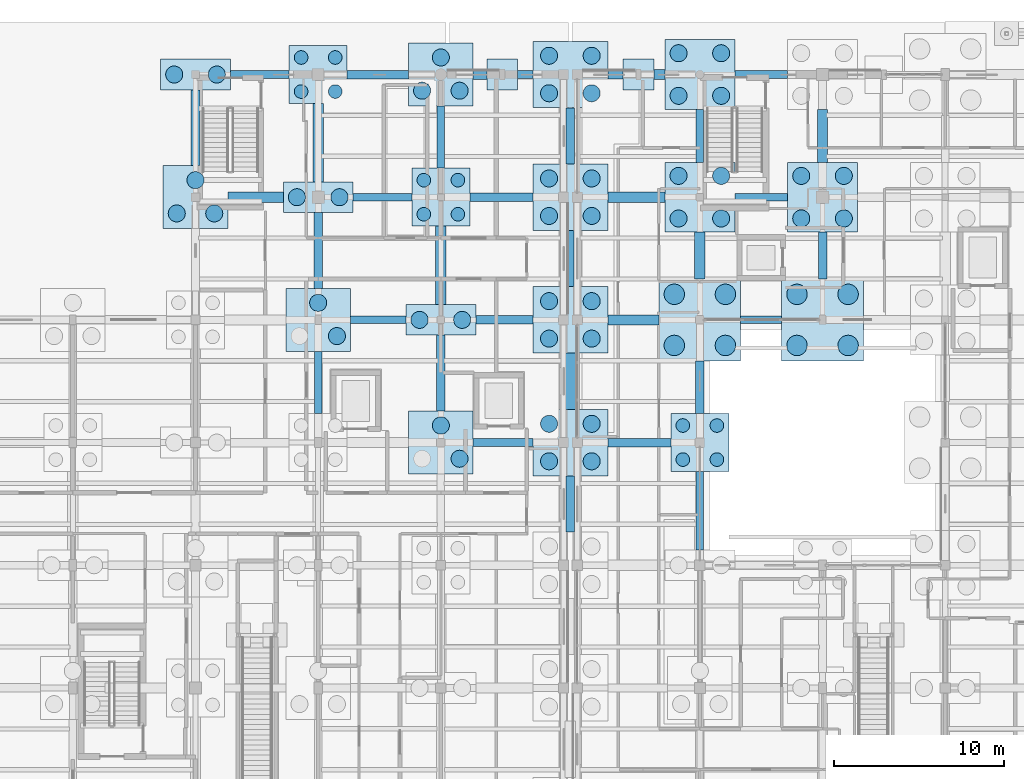
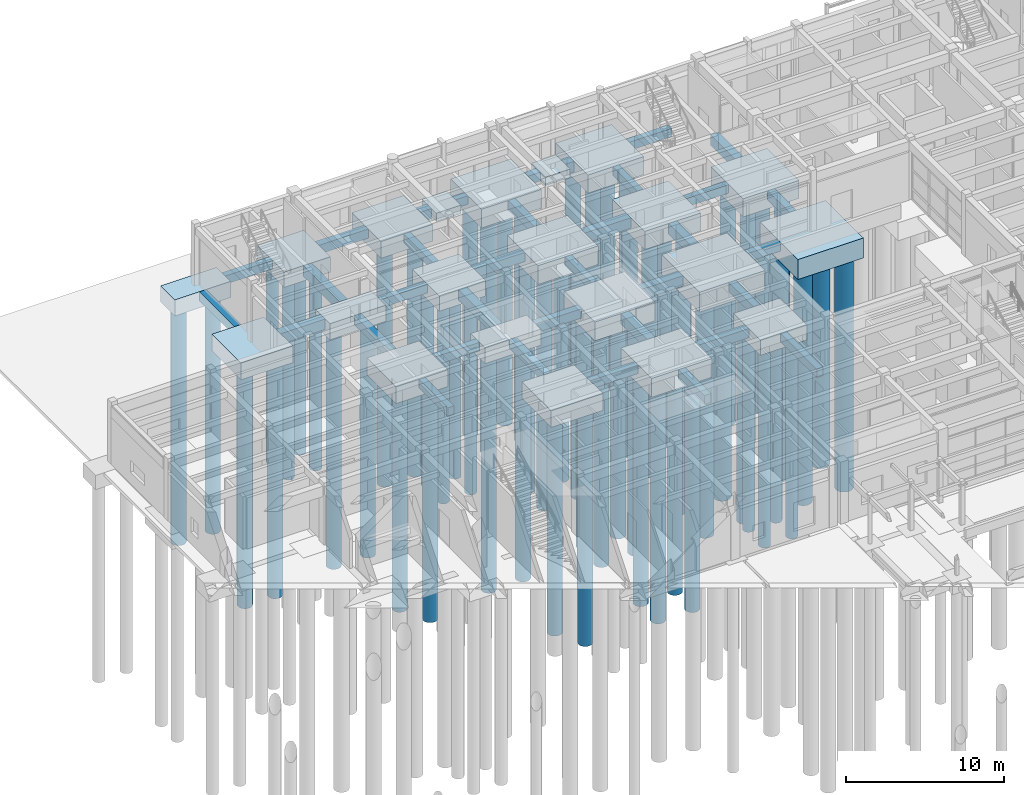
# One storey, part 7 of 143: 64 piles, 56 footings.
"""IFC4 building model written with IfcOpenShell, lengths in metres."""

from ifc_helpers import new_model, si_unit, direction, frame, origin, origin_2d, place, context, subcontext, project, spatial, rectangle, circle, extrude, material, material_profile, profile_set, type_object, element, save


model = new_model("IFC4")

# Units and contexts
model_context = context("Model", 3, precision=1e-05, world=origin(), true_north=direction((0.0, 1.0)))
body_context = subcontext(model_context, "Body", "Model", "MODEL_VIEW")
ifc_project = project(units=[si_unit("LENGTHUNIT", "METRE"), si_unit("AREAUNIT", "SQUARE_METRE"), si_unit("VOLUMEUNIT", "CUBIC_METRE"), si_unit("PLANEANGLEUNIT", "RADIAN"), si_unit("MASSUNIT", "GRAM", prefix="KILO")], contexts=[model_context])

# Site, building, storey
site_placement = place(None, origin())
site = spatial("IfcSite", under=ifc_project, at=site_placement, CompositionType="ELEMENT")
building_placement = place(site_placement, origin())
building = spatial("IfcBuilding", under=site, at=building_placement, Name="Steenspoor Specialist Clinic", CompositionType="ELEMENT")
storey_placement = place(building_placement, origin())
storey = spatial("IfcBuildingStorey", under=building, at=storey_placement, Name="L00", CompositionType="ELEMENT", Elevation=0.0)

# Footings
ifc_material = material(Name="Concrete C35/45", Category="concrete")
footing_type_1 = type_object("IfcFootingType", Name="FTG-PAD-180", PredefinedType="PAD_FOOTING", material=ifc_material)
for number, where, z_axis, x_axis, name in (
    (1, (56.0, 108.35009765625, -0.64990234375), (0.0, 0.0, 1.0), (1.0, 0.0, 0.0), "Pad Footing FTG-PAD-071"),
    (2, (48.0, 108.35009765625, -0.64990234375), (0.0, 0.0, 1.0), (1.0, 0.0, 0.0), "Pad Footing FTG-PAD-075"),
):
    element("IfcFooting", number, at=place(storey_placement, frame(where, z_axis=z_axis, x_axis=x_axis)), inside=storey, type_object=footing_type_1, Name=name, PredefinedType="PAD_FOOTING", context=body_context, shape_type="SweptSolid", body=[
        extrude(rectangle(XDim=1.800048828125, YDim=1.800048828125, at=origin_2d()), origin(), (0.0, 0.0, 1.0), 0.64990234375),
    ])
footing_type_2 = type_object("IfcFootingType", Name="FTG-PC-2P-1000", PredefinedType="PILE_CAP", material=ifc_material)
for number, where, z_axis, x_axis, name in (
    (3, (30.0, 108.35009765625, -1.25), (0.0, 0.0, 1.0), (1.0, 0.0, 0.0), "Pile Cap FTG-PC-184"),
    (4, (37.199951171875, 101.14990234375, -1.25), (0.0, 0.0, 1.0), (1.0, 0.0, 0.0), "Pile Cap FTG-PC-190"),
    (5, (44.39990234375, 93.949951171875, -1.25), (0.0, 0.0, 1.0), (1.0, 0.0, 0.0), "Pile Cap FTG-PC-196"),
):
    element("IfcFooting", number, at=place(storey_placement, frame(where, z_axis=z_axis, x_axis=x_axis)), inside=storey, type_object=footing_type_2, Name=name, PredefinedType="PILE_CAP", context=body_context, shape_type="SweptSolid", body=[
        extrude(rectangle(XDim=4.10009765625, YDim=1.800048828125, at=origin_2d()), origin(), (0.0, 0.0, 1.0), 1.25),
    ])
footing_type_3 = type_object("IfcFootingType", Name="FTG-PC-3P-1000", PredefinedType="PILE_CAP", material=ifc_material)
for number, where, z_axis, x_axis, name in (
    (6, (30.0, 101.14990234375, -1.2998046875), (0.0, 0.0, 1.0), (1.0, 0.0, 0.0), "Pile Cap FTG-PC-183"),
    (7, (37.199951171875, 93.949951171875, -1.2998046875), (0.0, 0.0, 1.0), (1.0, 0.0, 0.0), "Pile Cap FTG-PC-189"),
    (8, (44.39990234375, 86.75, -1.2998046875), (0.0, 0.0, 1.0), (1.0, 0.0, 0.0), "Pile Cap FTG-PC-195"),
    (9, (44.39990234375, 108.35009765625, -1.2998046875), (0.0, 0.0, 1.0), (1.0, 0.0, 0.0), "Pile Cap FTG-PC-198"),
):
    element("IfcFooting", number, at=place(storey_placement, frame(where, z_axis=z_axis, x_axis=x_axis)), inside=storey, type_object=footing_type_3, Name=name, PredefinedType="PILE_CAP", context=body_context, shape_type="SweptSolid", body=[
        extrude(rectangle(XDim=3.800048828125, YDim=3.699951171875, at=origin_2d()), origin(), (0.0, 0.0, 1.0), 1.300048828125),
    ])
footing_type_4 = type_object("IfcFootingType", Name="FTG-PC-4P-1000", PredefinedType="PILE_CAP", material=ifc_material)
for number, where, z_axis, x_axis, name in (
    (10, (59.60009765625, 101.14990234375, -1.39990234375), (0.0, 0.0, 1.0), (1.0, 0.0, 0.0), "Pile Cap FTG-PC-112"),
    (11, (59.60009765625, 108.35009765625, -1.39990234375), (0.0, 0.0, 1.0), (1.0, 0.0, 0.0), "Pile Cap FTG-PC-113"),
    (12, (66.800048828125, 101.14990234375, -1.39990234375), (0.0, 0.0, 1.0), (1.0, 0.0, 0.0), "Pile Cap FTG-PC-118"),
):
    element("IfcFooting", number, at=place(storey_placement, frame(where, z_axis=z_axis, x_axis=x_axis)), inside=storey, type_object=footing_type_4, Name=name, PredefinedType="PILE_CAP", context=body_context, shape_type="SweptSolid", body=[
        extrude(rectangle(XDim=4.10009765625, YDim=4.10009765625, at=origin_2d()), origin(), (0.0, 0.0, 1.0), 1.39990234375),
    ])
footing_type_5 = type_object("IfcFootingType", Name="FTG-PC-4P-1200", PredefinedType="PILE_CAP", material=ifc_material)
for number, where, z_axis, x_axis, name in (
    (13, (59.60009765625, 93.949951171875, -1.5498046875), (0.0, 0.0, 1.0), (1.0, 0.0, 0.0), "Pile Cap FTG-PC-111"),
    (14, (66.800048828125, 93.949951171875, -1.5498046875), (0.0, 0.0, 1.0), (1.0, 0.0, 0.0), "Pile Cap FTG-PC-117"),
):
    element("IfcFooting", number, at=place(storey_placement, frame(where, z_axis=z_axis, x_axis=x_axis)), inside=storey, type_object=footing_type_5, Name=name, PredefinedType="PILE_CAP", context=body_context, shape_type="SweptSolid", body=[
        extrude(rectangle(XDim=4.800048828125, YDim=4.800048828125, at=origin_2d()), origin(), (0.0, 0.0, 1.0), 1.550048828125),
    ])
footing_type_6 = type_object("IfcFootingType", Name="FTG-PC-4P-800", PredefinedType="PILE_CAP", material=ifc_material)
for number, where, z_axis, x_axis, name in (
    (15, (59.60009765625, 86.75, -1.2001953125), (0.0, 0.0, 1.0), (1.0, 0.0, 0.0), "Pile Cap FTG-PC-110"),
    (16, (37.199951171875, 108.35009765625, -1.2001953125), (0.0, 0.0, 1.0), (1.0, 0.0, 0.0), "Pile Cap FTG-PC-191"),
    (17, (44.39990234375, 101.14990234375, -1.2001953125), (0.0, 0.0, 1.0), (1.0, 0.0, 0.0), "Pile Cap FTG-PC-197"),
):
    element("IfcFooting", number, at=place(storey_placement, frame(where, z_axis=z_axis, x_axis=x_axis)), inside=storey, type_object=footing_type_6, Name=name, PredefinedType="PILE_CAP", context=body_context, shape_type="SweptSolid", body=[
        extrude(rectangle(XDim=3.39990234375, YDim=3.39990234375, at=origin_2d()), origin(), (0.0, 0.0, 1.0), 1.199951171875),
    ])
footing_type_7 = type_object("IfcFootingType", Name="FTG-PC-SJ-4P", PredefinedType="PILE_CAP", material=ifc_material)
for number, where, z_axis, x_axis, name in (
    (18, (52.0, 86.75, -1.4501953125), (0.0, 0.0, 1.0), (1.0, 0.0, 0.0), "Pile Cap FTG-PC-103"),
    (19, (52.0, 93.949951171875, -1.4501953125), (0.0, 0.0, 1.0), (1.0, 0.0, 0.0), "Pile Cap FTG-PC-104"),
    (20, (52.0, 101.14990234375, -1.4501953125), (0.0, 0.0, 1.0), (1.0, 0.0, 0.0), "Pile Cap FTG-PC-105"),
    (21, (52.0, 108.35009765625, -1.4501953125), (0.0, 0.0, 1.0), (1.0, 0.0, 0.0), "Pile Cap FTG-PC-106"),
):
    element("IfcFooting", number, at=place(storey_placement, frame(where, z_axis=z_axis, x_axis=x_axis)), inside=storey, type_object=footing_type_7, Name=name, PredefinedType="PILE_CAP", context=body_context, shape_type="SweptSolid", body=[
        extrude(rectangle(XDim=4.39990234375, YDim=3.89990234375, at=origin_2d()), origin(), (0.0, 0.0, 1.0), 1.449951171875),
    ])
footing_type_8 = type_object("IfcFootingType", Name="FTG-TB-450X650", PredefinedType="FOOTING_BEAM", material=ifc_material)
footing_1_placement = place(storey_placement, frame((48.050048828125, 86.75, -0.64990234375), z_axis=(0.0, 0.0, 1.0), x_axis=(1.0, 0.0, 0.0)))
element("IfcFooting", 22, at=footing_1_placement, inside=storey, type_object=footing_type_8, Name="Seismic Tie Beam FTG-TB-194", PredefinedType="FOOTING_BEAM", context=body_context, shape_type="SweptSolid", body=[
    extrude(rectangle(XDim=3.5, YDim=0.449951171875, at=origin_2d()), origin(), (0.0, 0.0, 1.0), 0.64990234375),
])
footing_2_placement = place(storey_placement, frame((40.72509765625, 93.949951171875, -0.64990234375), z_axis=(0.0, 0.0, 1.0), x_axis=(1.0, 0.0, 0.0)))
element("IfcFooting", 23, at=footing_2_placement, inside=storey, type_object=footing_type_8, Name="Seismic Tie Beam FTG-TB-209", PredefinedType="FOOTING_BEAM", context=body_context, shape_type="SweptSolid", body=[
    extrude(rectangle(XDim=3.25, YDim=0.449951171875, at=origin_2d()), origin(), (0.0, 0.0, 1.0), 0.64990234375),
])
footing_3_placement = place(storey_placement, frame((63.199951171875, 93.949951171875, -0.64990234375), z_axis=(0.0, 0.0, 1.0), x_axis=(1.0, 0.0, 0.0)))
element("IfcFooting", 24, at=footing_3_placement, inside=storey, type_object=footing_type_8, Name="Seismic Tie Beam FTG-TB-212", PredefinedType="FOOTING_BEAM", context=body_context, shape_type="SweptSolid", body=[
    extrude(rectangle(XDim=2.39990234375, YDim=0.449951171875, at=origin_2d()), origin(), (0.0, 0.0, 1.0), 0.64990234375),
])
footing_4_placement = place(storey_placement, frame((40.97509765625, 101.14990234375, -0.64990234375), z_axis=(0.0, 0.0, 1.0), x_axis=(1.0, 0.0, 0.0)))
element("IfcFooting", 25, at=footing_4_placement, inside=storey, type_object=footing_type_8, Name="Seismic Tie Beam FTG-TB-227", PredefinedType="FOOTING_BEAM", context=body_context, shape_type="SweptSolid", body=[
    extrude(rectangle(XDim=3.449951171875, YDim=0.449951171875, at=origin_2d()), origin(), (0.0, 0.0, 1.0), 0.64990234375),
])
footing_5_placement = place(storey_placement, frame((63.199951171875, 101.14990234375, -0.64990234375), z_axis=(0.0, 0.0, 1.0), x_axis=(1.0, 0.0, 0.0)))
element("IfcFooting", 26, at=footing_5_placement, inside=storey, type_object=footing_type_8, Name="Seismic Tie Beam FTG-TB-230", PredefinedType="FOOTING_BEAM", context=body_context, shape_type="SweptSolid", body=[
    extrude(rectangle(XDim=3.10009765625, YDim=0.449951171875, at=origin_2d()), origin(), (0.0, 0.0, 1.0), 0.64990234375),
])
footing_6_placement = place(storey_placement, frame((33.77490234375, 108.35009765625, -0.64990234375), z_axis=(0.0, 0.0, 1.0), x_axis=(1.0, 0.0, 0.0)))
element("IfcFooting", 27, at=footing_6_placement, inside=storey, type_object=footing_type_8, Name="Seismic Tie Beam FTG-TB-242", PredefinedType="FOOTING_BEAM", context=body_context, shape_type="SweptSolid", body=[
    extrude(rectangle(XDim=3.449951171875, YDim=0.449951171875, at=origin_2d()), origin(), (0.0, 0.0, 1.0), 0.64990234375),
])
footing_7_placement = place(storey_placement, frame((49.35009765625, 108.35009765625, -0.64990234375), z_axis=(0.0, 0.0, 1.0), x_axis=(1.0, 0.0, 0.0)))
element("IfcFooting", 28, at=footing_7_placement, inside=storey, type_object=footing_type_8, Name="Seismic Tie Beam FTG-TB-245", PredefinedType="FOOTING_BEAM", context=body_context, shape_type="SweptSolid", body=[
    extrude(rectangle(XDim=0.89990234375, YDim=0.449951171875, at=origin_2d()), origin(), (0.0, 0.0, 1.0), 0.64990234375),
])
footing_8_placement = place(storey_placement, frame((63.199951171875, 108.35009765625, -0.64990234375), z_axis=(0.0, 0.0, 1.0), x_axis=(1.0, 0.0, 0.0)))
element("IfcFooting", 29, at=footing_8_placement, inside=storey, type_object=footing_type_8, Name="Seismic Tie Beam FTG-TB-248", PredefinedType="FOOTING_BEAM", context=body_context, shape_type="SweptSolid", body=[
    extrude(rectangle(XDim=3.10009765625, YDim=0.449951171875, at=origin_2d()), origin(), (0.0, 0.0, 1.0), 0.64990234375),
])
for number, where, z_axis, x_axis, name in (
    (30, (37.199951171875, 90.27490234375, -0.64990234375), (0.0, 0.0, 1.0), (1.0, 0.0, 0.0), "Seismic Tie Beam FTG-TB-302"),
    (31, (44.39990234375, 104.675048828125, -0.64990234375), (0.0, 0.0, 1.0), (1.0, 0.0, 0.0), "Seismic Tie Beam FTG-TB-311"),
):
    element("IfcFooting", number, at=place(storey_placement, frame(where, z_axis=z_axis, x_axis=x_axis)), inside=storey, type_object=footing_type_8, Name=name, PredefinedType="FOOTING_BEAM", context=body_context, shape_type="SweptSolid", body=[
        extrude(rectangle(XDim=0.449951171875, YDim=3.64990234375, at=origin_2d()), origin(), (0.0, 0.0, 1.0), 0.64990234375),
    ])
footing_9_placement = place(storey_placement, frame((52.0, 97.550048828125, -0.64990234375), z_axis=(0.0, 0.0, 1.0), x_axis=(1.0, 0.0, 0.0)))
element("IfcFooting", 32, at=footing_9_placement, inside=storey, type_object=footing_type_8, Name="Seismic Tie Beam FTG-TB-320", PredefinedType="FOOTING_BEAM", context=body_context, shape_type="SweptSolid", body=[
    extrude(rectangle(XDim=0.449951171875, YDim=3.300048828125, at=origin_2d()), origin(), (0.0, 0.0, 1.0), 0.64990234375),
])
footing_10_placement = place(storey_placement, frame((59.60009765625, 82.75, -0.64990234375), z_axis=(0.0, 0.0, 1.0), x_axis=(1.0, 0.0, 0.0)))
element("IfcFooting", 33, at=footing_10_placement, inside=storey, type_object=footing_type_8, Name="Seismic Tie Beam FTG-TB-335", PredefinedType="FOOTING_BEAM", context=body_context, shape_type="SweptSolid", body=[
    extrude(rectangle(XDim=0.449951171875, YDim=4.60009765625, at=origin_2d()), origin(), (0.0, 0.0, 1.0), 0.64990234375),
])
footing_11_placement = place(storey_placement, frame((59.60009765625, 104.75, -0.64990234375), z_axis=(0.0, 0.0, 1.0), x_axis=(1.0, 0.0, 0.0)))
element("IfcFooting", 34, at=footing_11_placement, inside=storey, type_object=footing_type_8, Name="Seismic Tie Beam FTG-TB-338", PredefinedType="FOOTING_BEAM", context=body_context, shape_type="SweptSolid", body=[
    extrude(rectangle(XDim=0.449951171875, YDim=3.10009765625, at=origin_2d()), origin(), (0.0, 0.0, 1.0), 0.64990234375),
])
footing_type_9 = type_object("IfcFootingType", Name="FTG-TB-500X700", PredefinedType="FOOTING_BEAM", material=ifc_material)
footing_12_placement = place(storey_placement, frame((56.050048828125, 86.75, -0.7001953125), z_axis=(0.0, 0.0, 1.0), x_axis=(1.0, 0.0, 0.0)))
element("IfcFooting", 35, at=footing_12_placement, inside=storey, type_object=footing_type_9, Name="Seismic Tie Beam FTG-TB-195", PredefinedType="FOOTING_BEAM", context=body_context, shape_type="SweptSolid", body=[
    extrude(rectangle(XDim=3.699951171875, YDim=0.5, at=origin_2d()), origin(), (0.0, 0.0, 1.0), 0.699951171875),
])
footing_13_placement = place(storey_placement, frame((48.125, 93.949951171875, -0.7001953125), z_axis=(0.0, 0.0, 1.0), x_axis=(1.0, 0.0, 0.0)))
element("IfcFooting", 36, at=footing_13_placement, inside=storey, type_object=footing_type_9, Name="Seismic Tie Beam FTG-TB-210", PredefinedType="FOOTING_BEAM", context=body_context, shape_type="SweptSolid", body=[
    extrude(rectangle(XDim=3.35009765625, YDim=0.5, at=origin_2d()), origin(), (0.0, 0.0, 1.0), 0.699951171875),
])
footing_14_placement = place(storey_placement, frame((47.949951171875, 101.14990234375, -0.7001953125), z_axis=(0.0, 0.0, 1.0), x_axis=(1.0, 0.0, 0.0)))
element("IfcFooting", 37, at=footing_14_placement, inside=storey, type_object=footing_type_9, Name="Seismic Tie Beam FTG-TB-228", PredefinedType="FOOTING_BEAM", context=body_context, shape_type="SweptSolid", body=[
    extrude(rectangle(XDim=3.699951171875, YDim=0.5, at=origin_2d()), origin(), (0.0, 0.0, 1.0), 0.699951171875),
])
footing_15_placement = place(storey_placement, frame((40.699951171875, 108.35009765625, -0.7001953125), z_axis=(0.0, 0.0, 1.0), x_axis=(1.0, 0.0, 0.0)))
element("IfcFooting", 38, at=footing_15_placement, inside=storey, type_object=footing_type_9, Name="Seismic Tie Beam FTG-TB-243", PredefinedType="FOOTING_BEAM", context=body_context, shape_type="SweptSolid", body=[
    extrude(rectangle(XDim=3.60009765625, YDim=0.5, at=origin_2d()), origin(), (0.0, 0.0, 1.0), 0.699951171875),
])
footing_16_placement = place(storey_placement, frame((54.64990234375, 108.35009765625, -0.7001953125), z_axis=(0.0, 0.0, 1.0), x_axis=(1.0, 0.0, 0.0)))
element("IfcFooting", 39, at=footing_16_placement, inside=storey, type_object=footing_type_9, Name="Seismic Tie Beam FTG-TB-246", PredefinedType="FOOTING_BEAM", context=body_context, shape_type="SweptSolid", body=[
    extrude(rectangle(XDim=0.89990234375, YDim=0.5, at=origin_2d()), origin(), (0.0, 0.0, 1.0), 0.699951171875),
])
for number, where, z_axis, x_axis, name in (
    (40, (30.0, 105.22509765625, -0.7001953125), (0.0, 0.0, 1.0), (1.0, 0.0, 0.0), "Seismic Tie Beam FTG-TB-294"),
    (41, (37.199951171875, 98.02490234375, -0.7001953125), (0.0, 0.0, 1.0), (1.0, 0.0, 0.0), "Seismic Tie Beam FTG-TB-303"),
    (42, (44.39990234375, 90.824951171875, -0.7001953125), (0.0, 0.0, 1.0), (1.0, 0.0, 0.0), "Seismic Tie Beam FTG-TB-309"),
):
    element("IfcFooting", number, at=place(storey_placement, frame(where, z_axis=z_axis, x_axis=x_axis)), inside=storey, type_object=footing_type_9, Name=name, PredefinedType="FOOTING_BEAM", context=body_context, shape_type="SweptSolid", body=[
        extrude(rectangle(XDim=0.5, YDim=4.449951171875, at=origin_2d()), origin(), (0.0, 0.0, 1.0), 0.699951171875),
    ])
for number, where, z_axis, x_axis, name in (
    (43, (52.0, 83.14990234375, -0.7001953125), (0.0, 0.0, 1.0), (1.0, 0.0, 0.0), "Seismic Tie Beam FTG-TB-318"),
    (44, (52.0, 104.75, -0.7001953125), (0.0, 0.0, 1.0), (1.0, 0.0, 0.0), "Seismic Tie Beam FTG-TB-321"),
):
    element("IfcFooting", number, at=place(storey_placement, frame(where, z_axis=z_axis, x_axis=x_axis)), inside=storey, type_object=footing_type_9, Name=name, PredefinedType="FOOTING_BEAM", context=body_context, shape_type="SweptSolid", body=[
        extrude(rectangle(XDim=0.5, YDim=3.300048828125, at=origin_2d()), origin(), (0.0, 0.0, 1.0), 0.699951171875),
    ])
footing_17_placement = place(storey_placement, frame((59.60009765625, 90.0, -0.7001953125), z_axis=(0.0, 0.0, 1.0), x_axis=(1.0, 0.0, 0.0)))
element("IfcFooting", 45, at=footing_17_placement, inside=storey, type_object=footing_type_9, Name="Seismic Tie Beam FTG-TB-336", PredefinedType="FOOTING_BEAM", context=body_context, shape_type="SweptSolid", body=[
    extrude(rectangle(XDim=0.5, YDim=3.10009765625, at=origin_2d()), origin(), (0.0, 0.0, 1.0), 0.699951171875),
])
footing_18_placement = place(storey_placement, frame((66.800048828125, 97.72509765625, -0.7001953125), z_axis=(0.0, 0.0, 1.0), x_axis=(1.0, 0.0, 0.0)))
element("IfcFooting", 46, at=footing_18_placement, inside=storey, type_object=footing_type_9, Name="Seismic Tie Beam FTG-TB-345", PredefinedType="FOOTING_BEAM", context=body_context, shape_type="SweptSolid", body=[
    extrude(rectangle(XDim=0.5, YDim=2.75, at=origin_2d()), origin(), (0.0, 0.0, 1.0), 0.699951171875),
])
footing_type_10 = type_object("IfcFootingType", Name="FTG-TB-600X800", PredefinedType="FOOTING_BEAM", material=ifc_material)
footing_19_placement = place(storey_placement, frame((55.699951171875, 93.949951171875, -0.7998046875), z_axis=(0.0, 0.0, 1.0), x_axis=(1.0, 0.0, 0.0)))
element("IfcFooting", 47, at=footing_19_placement, inside=storey, type_object=footing_type_10, Name="Seismic Tie Beam FTG-TB-211", PredefinedType="FOOTING_BEAM", context=body_context, shape_type="SweptSolid", body=[
    extrude(rectangle(XDim=3.0, YDim=0.60009765625, at=origin_2d()), origin(), (0.0, 0.0, 1.0), 0.800048828125),
])
footing_20_placement = place(storey_placement, frame((33.52490234375, 101.14990234375, -0.7998046875), z_axis=(0.0, 0.0, 1.0), x_axis=(1.0, 0.0, 0.0)))
element("IfcFooting", 48, at=footing_20_placement, inside=storey, type_object=footing_type_10, Name="Seismic Tie Beam FTG-TB-226", PredefinedType="FOOTING_BEAM", context=body_context, shape_type="SweptSolid", body=[
    extrude(rectangle(XDim=3.25, YDim=0.60009765625, at=origin_2d()), origin(), (0.0, 0.0, 1.0), 0.800048828125),
])
footing_21_placement = place(storey_placement, frame((55.875, 101.14990234375, -0.7998046875), z_axis=(0.0, 0.0, 1.0), x_axis=(1.0, 0.0, 0.0)))
element("IfcFooting", 49, at=footing_21_placement, inside=storey, type_object=footing_type_10, Name="Seismic Tie Beam FTG-TB-229", PredefinedType="FOOTING_BEAM", context=body_context, shape_type="SweptSolid", body=[
    extrude(rectangle(XDim=3.35009765625, YDim=0.60009765625, at=origin_2d()), origin(), (0.0, 0.0, 1.0), 0.800048828125),
])
footing_22_placement = place(storey_placement, frame((46.699951171875, 108.35009765625, -0.7998046875), z_axis=(0.0, 0.0, 1.0), x_axis=(1.0, 0.0, 0.0)))
element("IfcFooting", 50, at=footing_22_placement, inside=storey, type_object=footing_type_10, Name="Seismic Tie Beam FTG-TB-244", PredefinedType="FOOTING_BEAM", context=body_context, shape_type="SweptSolid", body=[
    extrude(rectangle(XDim=0.800048828125, YDim=0.60009765625, at=origin_2d()), origin(), (0.0, 0.0, 1.0), 0.800048828125),
])
footing_23_placement = place(storey_placement, frame((57.22509765625, 108.35009765625, -0.7998046875), z_axis=(0.0, 0.0, 1.0), x_axis=(1.0, 0.0, 0.0)))
element("IfcFooting", 51, at=footing_23_placement, inside=storey, type_object=footing_type_10, Name="Seismic Tie Beam FTG-TB-247", PredefinedType="FOOTING_BEAM", context=body_context, shape_type="SweptSolid", body=[
    extrude(rectangle(XDim=0.64990234375, YDim=0.60009765625, at=origin_2d()), origin(), (0.0, 0.0, 1.0), 0.800048828125),
])
for number, where, z_axis, x_axis, name in (
    (52, (37.199951171875, 104.35009765625, -0.7998046875), (0.0, 0.0, 1.0), (1.0, 0.0, 0.0), "Seismic Tie Beam FTG-TB-304"),
    (53, (44.39990234375, 97.14990234375, -0.7998046875), (0.0, 0.0, 1.0), (1.0, 0.0, 0.0), "Seismic Tie Beam FTG-TB-310"),
):
    element("IfcFooting", number, at=place(storey_placement, frame(where, z_axis=z_axis, x_axis=x_axis)), inside=storey, type_object=footing_type_10, Name=name, PredefinedType="FOOTING_BEAM", context=body_context, shape_type="SweptSolid", body=[
        extrude(rectangle(XDim=0.60009765625, YDim=4.60009765625, at=origin_2d()), origin(), (0.0, 0.0, 1.0), 0.800048828125),
    ])
footing_24_placement = place(storey_placement, frame((52.0, 90.35009765625, -0.7998046875), z_axis=(0.0, 0.0, 1.0), x_axis=(1.0, 0.0, 0.0)))
element("IfcFooting", 54, at=footing_24_placement, inside=storey, type_object=footing_type_10, Name="Seismic Tie Beam FTG-TB-319", PredefinedType="FOOTING_BEAM", context=body_context, shape_type="SweptSolid", body=[
    extrude(rectangle(XDim=0.60009765625, YDim=3.300048828125, at=origin_2d()), origin(), (0.0, 0.0, 1.0), 0.800048828125),
])
footing_25_placement = place(storey_placement, frame((59.60009765625, 97.72509765625, -0.7998046875), z_axis=(0.0, 0.0, 1.0), x_axis=(1.0, 0.0, 0.0)))
element("IfcFooting", 55, at=footing_25_placement, inside=storey, type_object=footing_type_10, Name="Seismic Tie Beam FTG-TB-337", PredefinedType="FOOTING_BEAM", context=body_context, shape_type="SweptSolid", body=[
    extrude(rectangle(XDim=0.60009765625, YDim=2.75, at=origin_2d()), origin(), (0.0, 0.0, 1.0), 0.800048828125),
])
footing_26_placement = place(storey_placement, frame((66.800048828125, 104.75, -0.7998046875), z_axis=(0.0, 0.0, 1.0), x_axis=(1.0, 0.0, 0.0)))
element("IfcFooting", 56, at=footing_26_placement, inside=storey, type_object=footing_type_10, Name="Seismic Tie Beam FTG-TB-346", PredefinedType="FOOTING_BEAM", context=body_context, shape_type="SweptSolid", body=[
    extrude(rectangle(XDim=0.60009765625, YDim=3.10009765625, at=origin_2d()), origin(), (0.0, 0.0, 1.0), 0.800048828125),
])

# Piles
ifc_material_profile_1 = material_profile(ifc_material, circle(Radius=0.5, at=origin_2d()), Name="PILE-D1000")
ifc_profile_set_1 = profile_set([ifc_material_profile_1], Name="Concrete C35/45")
pile_type_1 = type_object("IfcPileType", Name="PILE-RC-D1000", PredefinedType="BORED", material=ifc_profile_set_1)
for number, where, z_axis, x_axis, name in (
    (57, (50.75, 85.64990234375, -1.35009765625), (0.0, 0.0, -1.0), (1.0, 0.0, 0.0), "Bored Pile PILE-0192"),
    (58, (53.25, 85.64990234375, -1.35009765625), (0.0, 0.0, -1.0), (1.0, 0.0, 0.0), "Bored Pile PILE-0193"),
    (59, (50.75, 87.85009765625, -1.35009765625), (0.0, 0.0, -1.0), (1.0, 0.0, 0.0), "Bored Pile PILE-0194"),
    (60, (53.25, 87.85009765625, -1.35009765625), (0.0, 0.0, -1.0), (1.0, 0.0, 0.0), "Bored Pile PILE-0195"),
    (61, (50.75, 92.85009765625, -1.35009765625), (0.0, 0.0, -1.0), (1.0, 0.0, 0.0), "Bored Pile PILE-0196"),
    (62, (53.25, 92.85009765625, -1.35009765625), (0.0, 0.0, -1.0), (1.0, 0.0, 0.0), "Bored Pile PILE-0197"),
    (63, (50.75, 95.050048828125, -1.35009765625), (0.0, 0.0, -1.0), (1.0, 0.0, 0.0), "Bored Pile PILE-0198"),
    (64, (53.25, 95.050048828125, -1.35009765625), (0.0, 0.0, -1.0), (1.0, 0.0, 0.0), "Bored Pile PILE-0199"),
    (65, (50.75, 100.050048828125, -1.35009765625), (0.0, 0.0, -1.0), (1.0, 0.0, 0.0), "Bored Pile PILE-0200"),
    (66, (53.25, 100.050048828125, -1.35009765625), (0.0, 0.0, -1.0), (1.0, 0.0, 0.0), "Bored Pile PILE-0201"),
    (67, (50.75, 102.25, -1.35009765625), (0.0, 0.0, -1.0), (1.0, 0.0, 0.0), "Bored Pile PILE-0202"),
    (68, (53.25, 102.25, -1.35009765625), (0.0, 0.0, -1.0), (1.0, 0.0, 0.0), "Bored Pile PILE-0203"),
    (69, (50.75, 107.25, -1.35009765625), (0.0, 0.0, -1.0), (1.0, 0.0, 0.0), "Bored Pile PILE-0204"),
    (70, (53.25, 107.25, -1.35009765625), (0.0, 0.0, -1.0), (1.0, 0.0, 0.0), "Bored Pile PILE-0205"),
    (71, (50.75, 109.449951171875, -1.35009765625), (0.0, 0.0, -1.0), (1.0, 0.0, 0.0), "Bored Pile PILE-0206"),
    (72, (53.25, 109.449951171875, -1.35009765625), (0.0, 0.0, -1.0), (1.0, 0.0, 0.0), "Bored Pile PILE-0207"),
):
    element("IfcPile", number, at=place(storey_placement, frame(where, z_axis=z_axis, x_axis=x_axis)), inside=storey, type_object=pile_type_1, Name=name, PredefinedType="BORED", context=body_context, shape_type="SweptSolid", body=[
        extrude(circle(Radius=0.5, at=origin_2d()), origin(), (0.0, 0.0, 1.0), 18.14990234375),
    ])
for number, where, z_axis, x_axis, name in (
    (73, (58.35009765625, 99.89990234375, -1.300048828125), (0.0, 0.0, -1.0), (1.0, 0.0, 0.0), "Bored Pile PILE-0222"),
    (74, (60.85009765625, 99.89990234375, -1.300048828125), (0.0, 0.0, -1.0), (1.0, 0.0, 0.0), "Bored Pile PILE-0223"),
    (75, (58.35009765625, 102.39990234375, -1.300048828125), (0.0, 0.0, -1.0), (1.0, 0.0, 0.0), "Bored Pile PILE-0224"),
    (76, (60.85009765625, 102.39990234375, -1.300048828125), (0.0, 0.0, -1.0), (1.0, 0.0, 0.0), "Bored Pile PILE-0225"),
    (77, (58.35009765625, 107.10009765625, -1.300048828125), (0.0, 0.0, -1.0), (1.0, 0.0, 0.0), "Bored Pile PILE-0226"),
    (78, (60.85009765625, 107.10009765625, -1.300048828125), (0.0, 0.0, -1.0), (1.0, 0.0, 0.0), "Bored Pile PILE-0227"),
    (79, (58.35009765625, 109.60009765625, -1.300048828125), (0.0, 0.0, -1.0), (1.0, 0.0, 0.0), "Bored Pile PILE-0228"),
    (80, (60.85009765625, 109.60009765625, -1.300048828125), (0.0, 0.0, -1.0), (1.0, 0.0, 0.0), "Bored Pile PILE-0229"),
    (81, (65.550048828125, 99.89990234375, -1.300048828125), (0.0, 0.0, -1.0), (1.0, 0.0, 0.0), "Bored Pile PILE-0241"),
    (82, (68.050048828125, 99.89990234375, -1.300048828125), (0.0, 0.0, -1.0), (1.0, 0.0, 0.0), "Bored Pile PILE-0242"),
    (83, (65.550048828125, 102.39990234375, -1.300048828125), (0.0, 0.0, -1.0), (1.0, 0.0, 0.0), "Bored Pile PILE-0243"),
    (84, (68.050048828125, 102.39990234375, -1.300048828125), (0.0, 0.0, -1.0), (1.0, 0.0, 0.0), "Bored Pile PILE-0244"),
):
    element("IfcPile", number, at=place(storey_placement, frame(where, z_axis=z_axis, x_axis=x_axis)), inside=storey, type_object=pile_type_1, Name=name, PredefinedType="BORED", context=body_context, shape_type="SweptSolid", body=[
        extrude(circle(Radius=0.5, at=origin_2d()), origin(), (0.0, 0.0, 1.0), 18.199951171875),
    ])
for number, where, z_axis, x_axis, name in (
    (85, (28.89990234375, 100.199951171875, -1.199951171875), (0.0, 0.0, -1.0), (1.0, 0.0, 0.0), "Bored Pile PILE-0467"),
    (86, (31.10009765625, 100.199951171875, -1.199951171875), (0.0, 0.0, -1.0), (1.0, 0.0, 0.0), "Bored Pile PILE-0468"),
    (87, (30.0, 102.14990234375, -1.199951171875), (0.0, 0.0, -1.0), (1.0, 0.0, 0.0), "Bored Pile PILE-0469"),
):
    element("IfcPile", number, at=place(storey_placement, frame(where, z_axis=z_axis, x_axis=x_axis)), inside=storey, type_object=pile_type_1, Name=name, PredefinedType="BORED", context=body_context, shape_type="SweptSolid", body=[
        extrude(circle(Radius=0.5, at=origin_2d()), origin(), (0.0, 0.0, 1.0), 18.300048828125),
    ])
for number, where, z_axis, x_axis, name in (
    (88, (28.75, 108.35009765625, -1.14990234375), (0.0, 0.0, -1.0), (1.0, 0.0, 0.0), "Bored Pile PILE-0470"),
    (89, (31.25, 108.35009765625, -1.14990234375), (0.0, 0.0, -1.0), (1.0, 0.0, 0.0), "Bored Pile PILE-0471"),
):
    element("IfcPile", number, at=place(storey_placement, frame(where, z_axis=z_axis, x_axis=x_axis)), inside=storey, type_object=pile_type_1, Name=name, PredefinedType="BORED", context=body_context, shape_type="SweptSolid", body=[
        extrude(circle(Radius=0.5, at=origin_2d()), origin(), (0.0, 0.0, 1.0), 18.35009765625),
    ])
for number, where, z_axis, x_axis, name in (
    (90, (38.300048828125, 93.0, -1.199951171875), (0.0, 0.0, -1.0), (1.0, 0.0, 0.0), "Bored Pile PILE-0483"),
    (91, (37.199951171875, 94.949951171875, -1.199951171875), (0.0, 0.0, -1.0), (1.0, 0.0, 0.0), "Bored Pile PILE-0484"),
):
    element("IfcPile", number, at=place(storey_placement, frame(where, z_axis=z_axis, x_axis=x_axis)), inside=storey, type_object=pile_type_1, Name=name, PredefinedType="BORED", context=body_context, shape_type="SweptSolid", body=[
        extrude(circle(Radius=0.5, at=origin_2d()), origin(), (0.0, 0.0, 1.0), 18.300048828125),
    ])
for number, where, z_axis, x_axis, name in (
    (92, (35.949951171875, 101.14990234375, -1.14990234375), (0.0, 0.0, -1.0), (1.0, 0.0, 0.0), "Bored Pile PILE-0485"),
    (93, (38.449951171875, 101.14990234375, -1.14990234375), (0.0, 0.0, -1.0), (1.0, 0.0, 0.0), "Bored Pile PILE-0486"),
):
    element("IfcPile", number, at=place(storey_placement, frame(where, z_axis=z_axis, x_axis=x_axis)), inside=storey, type_object=pile_type_1, Name=name, PredefinedType="BORED", context=body_context, shape_type="SweptSolid", body=[
        extrude(circle(Radius=0.5, at=origin_2d()), origin(), (0.0, 0.0, 1.0), 18.35009765625),
    ])
for number, where, z_axis, x_axis, name in (
    (94, (45.5, 85.800048828125, -1.199951171875), (0.0, 0.0, -1.0), (1.0, 0.0, 0.0), "Bored Pile PILE-0499"),
    (95, (44.39990234375, 87.75, -1.199951171875), (0.0, 0.0, -1.0), (1.0, 0.0, 0.0), "Bored Pile PILE-0500"),
):
    element("IfcPile", number, at=place(storey_placement, frame(where, z_axis=z_axis, x_axis=x_axis)), inside=storey, type_object=pile_type_1, Name=name, PredefinedType="BORED", context=body_context, shape_type="SweptSolid", body=[
        extrude(circle(Radius=0.5, at=origin_2d()), origin(), (0.0, 0.0, 1.0), 18.300048828125),
    ])
for number, where, z_axis, x_axis, name in (
    (96, (43.14990234375, 93.949951171875, -1.14990234375), (0.0, 0.0, -1.0), (1.0, 0.0, 0.0), "Bored Pile PILE-0501"),
    (97, (45.64990234375, 93.949951171875, -1.14990234375), (0.0, 0.0, -1.0), (1.0, 0.0, 0.0), "Bored Pile PILE-0502"),
):
    element("IfcPile", number, at=place(storey_placement, frame(where, z_axis=z_axis, x_axis=x_axis)), inside=storey, type_object=pile_type_1, Name=name, PredefinedType="BORED", context=body_context, shape_type="SweptSolid", body=[
        extrude(circle(Radius=0.5, at=origin_2d()), origin(), (0.0, 0.0, 1.0), 18.35009765625),
    ])
for number, where, z_axis, x_axis, name in (
    (98, (43.300048828125, 107.39990234375, -1.199951171875), (0.0, 0.0, -1.0), (1.0, 0.0, 0.0), "Bored Pile PILE-0507"),
    (99, (45.5, 107.39990234375, -1.199951171875), (0.0, 0.0, -1.0), (1.0, 0.0, 0.0), "Bored Pile PILE-0508"),
    (100, (44.39990234375, 109.35009765625, -1.199951171875), (0.0, 0.0, -1.0), (1.0, 0.0, 0.0), "Bored Pile PILE-0509"),
):
    element("IfcPile", number, at=place(storey_placement, frame(where, z_axis=z_axis, x_axis=x_axis)), inside=storey, type_object=pile_type_1, Name=name, PredefinedType="BORED", context=body_context, shape_type="SweptSolid", body=[
        extrude(circle(Radius=0.5, at=origin_2d()), origin(), (0.0, 0.0, 1.0), 18.300048828125),
    ])
ifc_material_profile_2 = material_profile(ifc_material, circle(Radius=0.60009765625, at=origin_2d()), Name="PILE-D1200")
ifc_profile_set_2 = profile_set([ifc_material_profile_2], Name="Concrete C35/45")
pile_type_2 = type_object("IfcPileType", Name="PILE-RC-D1200", PredefinedType="BORED", material=ifc_profile_set_2)
for number, where, z_axis, x_axis, name in (
    (101, (58.10009765625, 92.449951171875, -1.449951171875), (0.0, 0.0, -1.0), (1.0, 0.0, 0.0), "Bored Pile PILE-0218"),
    (102, (61.10009765625, 92.449951171875, -1.449951171875), (0.0, 0.0, -1.0), (1.0, 0.0, 0.0), "Bored Pile PILE-0219"),
    (103, (58.10009765625, 95.449951171875, -1.449951171875), (0.0, 0.0, -1.0), (1.0, 0.0, 0.0), "Bored Pile PILE-0220"),
    (104, (61.10009765625, 95.449951171875, -1.449951171875), (0.0, 0.0, -1.0), (1.0, 0.0, 0.0), "Bored Pile PILE-0221"),
    (105, (65.300048828125, 92.449951171875, -1.449951171875), (0.0, 0.0, -1.0), (1.0, 0.0, 0.0), "Bored Pile PILE-0237"),
    (106, (68.300048828125, 92.449951171875, -1.449951171875), (0.0, 0.0, -1.0), (1.0, 0.0, 0.0), "Bored Pile PILE-0238"),
    (107, (65.300048828125, 95.449951171875, -1.449951171875), (0.0, 0.0, -1.0), (1.0, 0.0, 0.0), "Bored Pile PILE-0239"),
    (108, (68.300048828125, 95.449951171875, -1.449951171875), (0.0, 0.0, -1.0), (1.0, 0.0, 0.0), "Bored Pile PILE-0240"),
):
    element("IfcPile", number, at=place(storey_placement, frame(where, z_axis=z_axis, x_axis=x_axis)), inside=storey, type_object=pile_type_2, Name=name, PredefinedType="BORED", context=body_context, shape_type="SweptSolid", body=[
        extrude(circle(Radius=0.60009765625, at=origin_2d()), origin(), (0.0, 0.0, 1.0), 18.050048828125),
    ])
ifc_material_profile_3 = material_profile(ifc_material, circle(Radius=0.39990234375, at=origin_2d()), Name="PILE-D800")
ifc_profile_set_3 = profile_set([ifc_material_profile_3], Name="Concrete C35/45")
pile_type_3 = type_object("IfcPileType", Name="PILE-RC-D800", PredefinedType="BORED", material=ifc_profile_set_3)
for number, where, z_axis, x_axis, name in (
    (109, (58.60009765625, 85.75, -1.10009765625), (0.0, 0.0, -1.0), (1.0, 0.0, 0.0), "Bored Pile PILE-0214"),
    (110, (60.60009765625, 85.75, -1.10009765625), (0.0, 0.0, -1.0), (1.0, 0.0, 0.0), "Bored Pile PILE-0215"),
    (111, (58.60009765625, 87.75, -1.10009765625), (0.0, 0.0, -1.0), (1.0, 0.0, 0.0), "Bored Pile PILE-0216"),
    (112, (60.60009765625, 87.75, -1.10009765625), (0.0, 0.0, -1.0), (1.0, 0.0, 0.0), "Bored Pile PILE-0217"),
    (113, (36.199951171875, 107.35009765625, -1.10009765625), (0.0, 0.0, -1.0), (1.0, 0.0, 0.0), "Bored Pile PILE-0487"),
    (114, (38.199951171875, 107.35009765625, -1.10009765625), (0.0, 0.0, -1.0), (1.0, 0.0, 0.0), "Bored Pile PILE-0488"),
    (115, (36.199951171875, 109.35009765625, -1.10009765625), (0.0, 0.0, -1.0), (1.0, 0.0, 0.0), "Bored Pile PILE-0489"),
    (116, (38.199951171875, 109.35009765625, -1.10009765625), (0.0, 0.0, -1.0), (1.0, 0.0, 0.0), "Bored Pile PILE-0490"),
    (117, (43.39990234375, 100.14990234375, -1.10009765625), (0.0, 0.0, -1.0), (1.0, 0.0, 0.0), "Bored Pile PILE-0503"),
    (118, (45.39990234375, 100.14990234375, -1.10009765625), (0.0, 0.0, -1.0), (1.0, 0.0, 0.0), "Bored Pile PILE-0504"),
    (119, (43.39990234375, 102.14990234375, -1.10009765625), (0.0, 0.0, -1.0), (1.0, 0.0, 0.0), "Bored Pile PILE-0505"),
    (120, (45.39990234375, 102.14990234375, -1.10009765625), (0.0, 0.0, -1.0), (1.0, 0.0, 0.0), "Bored Pile PILE-0506"),
):
    element("IfcPile", number, at=place(storey_placement, frame(where, z_axis=z_axis, x_axis=x_axis)), inside=storey, type_object=pile_type_3, Name=name, PredefinedType="BORED", context=body_context, shape_type="SweptSolid", body=[
        extrude(circle(Radius=0.39990234375, at=origin_2d()), origin(), (0.0, 0.0, 1.0), 15.39990234375),
    ])

save(model, "model.ifc")
